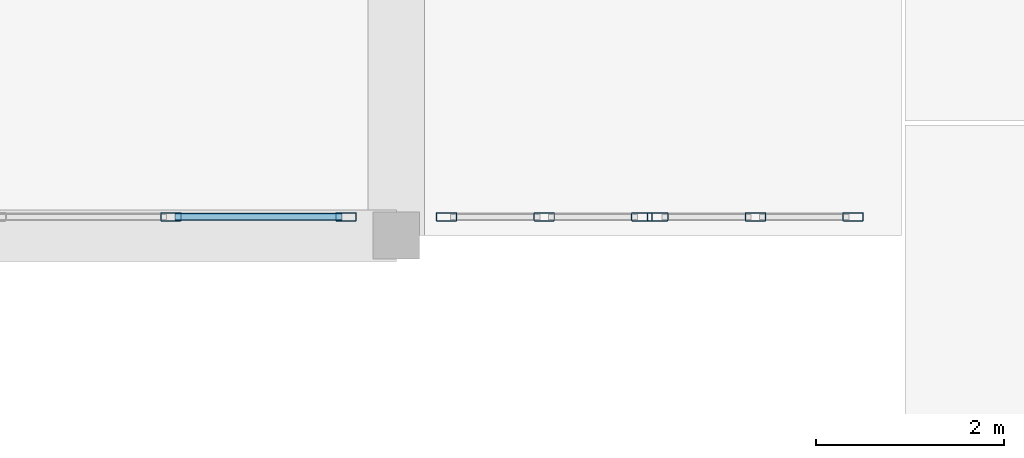
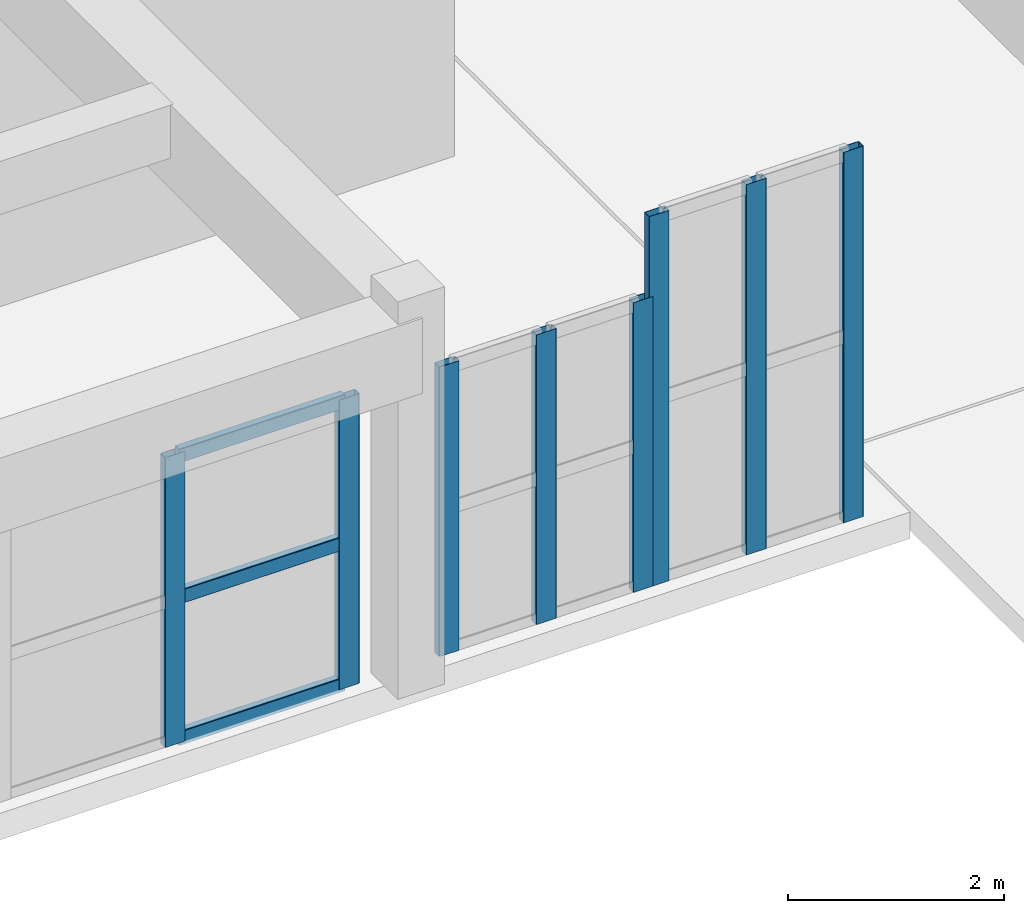
# One storey, part 32 of 91: 11 members, 3 elements without a shape of their own.
"""IFC4 building model written with IfcOpenShell, lengths in metres."""

from ifc_helpers import new_model, si_unit, direction, frame, origin, origin_2d, place, context, subcontext, project, spatial, hollow_rectangle, extrude, material, layer, layer_set, material_profile, profile_set, type_object, element, aggregate, save


model = new_model("IFC4")

# Units and contexts
model_context = context("Model", 3, precision=1e-05, world=origin(), true_north=direction((0.0, 1.0)))
body_context = subcontext(model_context, "Body", "Model", "MODEL_VIEW")
ifc_project = project(units=[si_unit("LENGTHUNIT", "METRE"), si_unit("AREAUNIT", "SQUARE_METRE"), si_unit("VOLUMEUNIT", "CUBIC_METRE"), si_unit("PLANEANGLEUNIT", "RADIAN"), si_unit("MASSUNIT", "GRAM", prefix="KILO")], contexts=[model_context])

# Site, building, storey
site_placement = place(None, origin())
site = spatial("IfcSite", under=ifc_project, at=site_placement, CompositionType="ELEMENT")
building_placement = place(site_placement, origin())
building = spatial("IfcBuilding", under=site, at=building_placement, Name="Tarnavel Promenade Courthouse", CompositionType="ELEMENT")
storey_placement = place(building_placement, frame((0.0, 0.0, 9.89990234375)))
storey = spatial("IfcBuildingStorey", under=building, at=storey_placement, Name="L03", CompositionType="ELEMENT", Elevation=9.89990234375)

# Curtain wall, members
ifc_material_1 = material(Name="Thermally Broken Anodised Aluminium Curtain Wall System", Category="aluminium")
ifc_layer = layer(ifc_material_1, 0.239990234375)
ifc_layer_set = layer_set([ifc_layer], Name="Thermally Broken Anodised Aluminium Curtain Wall System")
curtain_wall_type = type_object("IfcCurtainWallType", Name="Thermally Broken Aluminium Triple-Glazed Curtain Wall CW-WG-S", PredefinedType="NOTDEFINED", material=ifc_layer_set)
curtain_wall_1_placement = place(storey_placement, origin())
curtain_wall_1 = element("IfcCurtainWall", 1, at=curtain_wall_1_placement, inside=storey, type_object=curtain_wall_type, Name="L03 Winter-Garden South Solar Curtain Wall 099", PredefinedType="NOTDEFINED")
ifc_material_2 = material(Name="Thermally Broken Anodised Aluminium Frame", Category="aluminium")
ifc_material_profile_1 = material_profile(ifc_material_2, hollow_rectangle(XDim=0.090087890625, YDim=0.219970703125, WallThickness=0.0048828125, InnerFilletRadius=0.0048828125, OuterFilletRadius=0.010009765625, at=origin_2d()), Name="CWM 220x90x5")
ifc_profile_set_1 = profile_set([ifc_material_profile_1], Name="Thermally Broken Anodised Aluminium Frame")
member_type_1 = type_object("IfcMemberType", Name="Thermally Broken Anodised Aluminium CWM-175 (CWM 220x90x5)", PredefinedType="MULLION", material=ifc_profile_set_1)
member_1_placement = place(storey_placement, frame((112.199951171875, 47.0, 0.0), z_axis=(0.0, 0.0, 1.0), x_axis=(0.0, 1.0, 0.0)))
member_1 = element("IfcMember", 2, at=member_1_placement, type_object=member_type_1, Name="CW-02 mullion 2", PredefinedType="MULLION", context=body_context, shape_type="SweptSolid", body=[
    extrude(hollow_rectangle(XDim=0.090087890625, YDim=0.219970703125, WallThickness=0.0048828125, InnerFilletRadius=0.0048828125, OuterFilletRadius=0.010009765625, at=origin_2d()), origin(), (0.0, 0.0, 1.0), 3.280029296875),
])
member_2_placement = place(storey_placement, frame((114.06494140625, 47.0, 0.0), z_axis=(0.0, 0.0, 1.0), x_axis=(0.0, 1.0, 0.0)))
member_2 = element("IfcMember", 3, at=member_2_placement, type_object=member_type_1, Name="CW-02 mullion 3", PredefinedType="MULLION", context=body_context, shape_type="SweptSolid", body=[
    extrude(hollow_rectangle(XDim=0.090087890625, YDim=0.219970703125, WallThickness=0.0048828125, InnerFilletRadius=0.0048828125, OuterFilletRadius=0.010009765625, at=origin_2d()), origin(), (0.0, 0.0, 1.0), 3.280029296875),
])

curtain_wall_2_placement = place(storey_placement, origin())
curtain_wall_2 = element("IfcCurtainWall", 4, at=curtain_wall_2_placement, inside=storey, type_object=curtain_wall_type, Name="L03 Winter-Garden South Solar Curtain Wall 100", PredefinedType="NOTDEFINED")
member_3_placement = place(storey_placement, frame((115.135009765625, 47.0, 0.0), z_axis=(0.0, 0.0, 1.0), x_axis=(0.0, 1.0, 0.0)))
member_3 = element("IfcMember", 5, at=member_3_placement, type_object=member_type_1, Name="CW-02 mullion 1", PredefinedType="MULLION", context=body_context, shape_type="SweptSolid", body=[
    extrude(hollow_rectangle(XDim=0.090087890625, YDim=0.219970703125, WallThickness=0.0048828125, InnerFilletRadius=0.0048828125, OuterFilletRadius=0.010009765625, at=origin_2d()), origin(), (0.0, 0.0, 1.0), 3.280029296875),
])
member_4_placement = place(storey_placement, frame((116.175048828125, 47.0, 0.0), z_axis=(0.0, 0.0, 1.0), x_axis=(0.0, 1.0, 0.0)))
member_4 = element("IfcMember", 6, at=member_4_placement, type_object=member_type_1, Name="CW-02 mullion 2", PredefinedType="MULLION", context=body_context, shape_type="SweptSolid", body=[
    extrude(hollow_rectangle(XDim=0.090087890625, YDim=0.219970703125, WallThickness=0.0048828125, InnerFilletRadius=0.0048828125, OuterFilletRadius=0.010009765625, at=origin_2d()), origin(), (0.0, 0.0, 1.0), 3.280029296875),
])
member_5_placement = place(storey_placement, frame((117.215087890625, 47.0, 0.0), z_axis=(0.0, 0.0, 1.0), x_axis=(0.0, 1.0, 0.0)))
member_5 = element("IfcMember", 7, at=member_5_placement, type_object=member_type_1, Name="CW-02 mullion 3", PredefinedType="MULLION", context=body_context, shape_type="SweptSolid", body=[
    extrude(hollow_rectangle(XDim=0.090087890625, YDim=0.219970703125, WallThickness=0.0048828125, InnerFilletRadius=0.0048828125, OuterFilletRadius=0.010009765625, at=origin_2d()), origin(), (0.0, 0.0, 1.0), 3.280029296875),
])
aggregate(curtain_wall_2, [member_3, member_4, member_5])

curtain_wall_3_placement = place(storey_placement, origin())
curtain_wall_3 = element("IfcCurtainWall", 8, at=curtain_wall_3_placement, inside=storey, type_object=curtain_wall_type, Name="L03 Winter-Garden South Solar Curtain Wall 101", PredefinedType="NOTDEFINED")
member_6_placement = place(storey_placement, frame((117.385009765625, 47.0, 0.0), z_axis=(0.0, 0.0, 1.0), x_axis=(0.0, 1.0, 0.0)))
member_6 = element("IfcMember", 9, at=member_6_placement, type_object=member_type_1, Name="CW-02 mullion 1", PredefinedType="MULLION", context=body_context, shape_type="SweptSolid", body=[
    extrude(hollow_rectangle(XDim=0.090087890625, YDim=0.219970703125, WallThickness=0.0048828125, InnerFilletRadius=0.0048828125, OuterFilletRadius=0.010009765625, at=origin_2d()), origin(), (0.0, 0.0, 1.0), 4.195068359375),
])
member_7_placement = place(storey_placement, frame((118.425048828125, 47.0, 0.0), z_axis=(0.0, 0.0, 1.0), x_axis=(0.0, 1.0, 0.0)))
member_7 = element("IfcMember", 10, at=member_7_placement, type_object=member_type_1, Name="CW-02 mullion 2", PredefinedType="MULLION", context=body_context, shape_type="SweptSolid", body=[
    extrude(hollow_rectangle(XDim=0.090087890625, YDim=0.219970703125, WallThickness=0.0048828125, InnerFilletRadius=0.0048828125, OuterFilletRadius=0.010009765625, at=origin_2d()), origin(), (0.0, 0.0, 1.0), 4.195068359375),
])
member_8_placement = place(storey_placement, frame((119.465087890625, 47.0, 0.0), z_axis=(0.0, 0.0, 1.0), x_axis=(0.0, 1.0, 0.0)))
member_8 = element("IfcMember", 11, at=member_8_placement, type_object=member_type_1, Name="CW-02 mullion 3", PredefinedType="MULLION", context=body_context, shape_type="SweptSolid", body=[
    extrude(hollow_rectangle(XDim=0.090087890625, YDim=0.219970703125, WallThickness=0.0048828125, InnerFilletRadius=0.0048828125, OuterFilletRadius=0.010009765625, at=origin_2d()), origin(), (0.0, 0.0, 1.0), 4.195068359375),
])
aggregate(curtain_wall_3, [member_6, member_7, member_8])

# Member
ifc_material_profile_2 = material_profile(ifc_material_2, hollow_rectangle(XDim=0.080078125, YDim=0.159912109375, WallThickness=0.0048828125, InnerFilletRadius=0.0048828125, OuterFilletRadius=0.010009765625, at=origin_2d()), Name="CWT 160x80x5")
ifc_profile_set_2 = profile_set([ifc_material_profile_2], Name="Thermally Broken Anodised Aluminium Frame")
member_type_2 = type_object("IfcMemberType", Name="Thermally Broken Anodised Aluminium CWT-145 (CWT 160x80x5)", PredefinedType="USERDEFINED", material=ifc_profile_set_2)
member_9_placement = place(storey_placement, frame((112.2451171875, 47.0, 0.0400390625), z_axis=(1.0, 0.0, 0.0), x_axis=(0.0, 1.0, 0.0)))
member_9 = element("IfcMember", 12, at=member_9_placement, type_object=member_type_2, Name="CW-02 transom 2.1", ObjectType="TRANSOM", PredefinedType="USERDEFINED", context=body_context, shape_type="SweptSolid", body=[
    extrude(hollow_rectangle(XDim=0.080078125, YDim=0.159912109375, WallThickness=0.0048828125, InnerFilletRadius=0.0048828125, OuterFilletRadius=0.010009765625, at=origin_2d()), origin(), (0.0, 0.0, 1.0), 1.77490234375),
])

member_10_placement = place(storey_placement, frame((112.2451171875, 47.0, 1.64013671875), z_axis=(1.0, 0.0, 0.0), x_axis=(0.0, 1.0, 0.0)))
member_10 = element("IfcMember", 13, at=member_10_placement, type_object=member_type_2, Name="CW-02 transom 2.2", ObjectType="TRANSOM", PredefinedType="USERDEFINED", context=body_context, shape_type="SweptSolid", body=[
    extrude(hollow_rectangle(XDim=0.080078125, YDim=0.159912109375, WallThickness=0.0048828125, InnerFilletRadius=0.0048828125, OuterFilletRadius=0.010009765625, at=origin_2d()), origin(), (0.0, 0.0, 1.0), 1.77490234375),
])

member_11_placement = place(storey_placement, frame((112.2451171875, 47.0, 3.239990234375), z_axis=(1.0, 0.0, 0.0), x_axis=(0.0, 1.0, 0.0)))
member_11 = element("IfcMember", 14, at=member_11_placement, type_object=member_type_2, Name="CW-02 transom 2.3", ObjectType="TRANSOM", PredefinedType="USERDEFINED", context=body_context, shape_type="SweptSolid", body=[
    extrude(hollow_rectangle(XDim=0.080078125, YDim=0.159912109375, WallThickness=0.0048828125, InnerFilletRadius=0.0048828125, OuterFilletRadius=0.010009765625, at=origin_2d()), origin(), (0.0, 0.0, 1.0), 1.77490234375),
])

aggregate(curtain_wall_1, [member_1, member_2, member_9, member_10, member_11])

save(model, "model.ifc")
